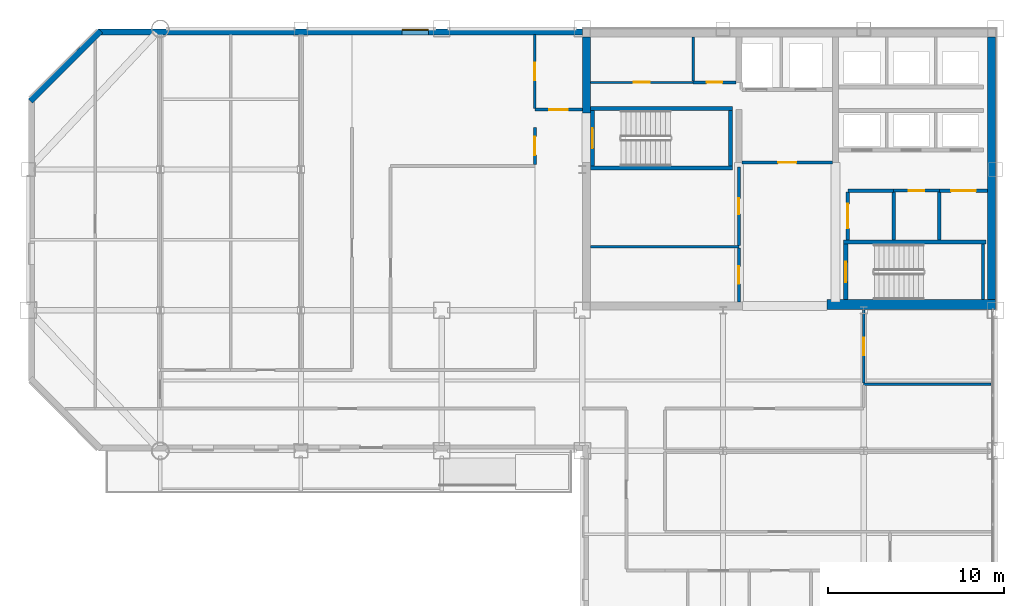
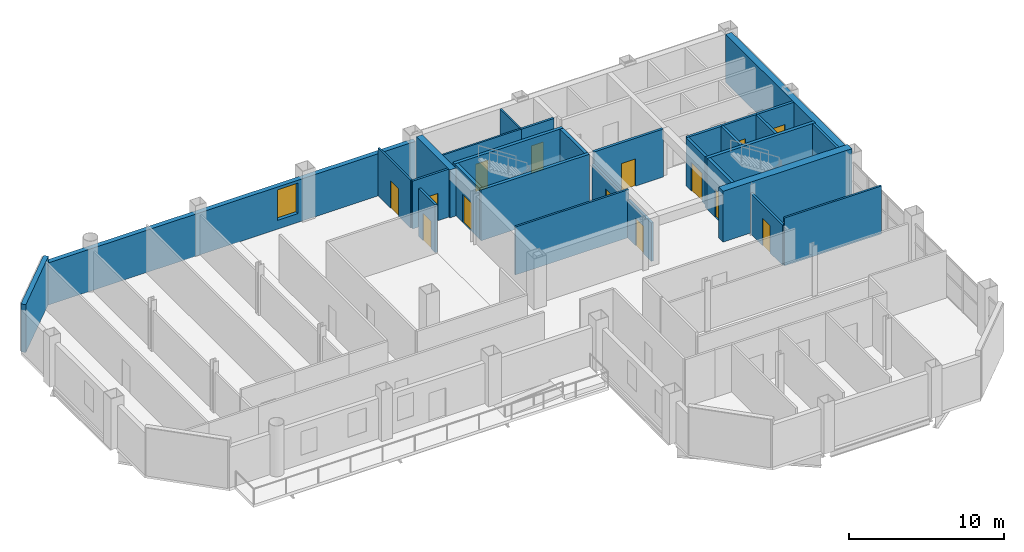
# One storey, part 9 of 14: 30 walls, 14 doors, 1 window, 15 openings.
"""IFC4 building model written with IfcOpenShell, lengths in metres."""

from ifc_helpers import new_model, si_unit, direction, frame, frame_2d, origin, place, context, subcontext, project, spatial, rectangle, extrude, material, layer, layer_set, type_object, element, fill, save


model = new_model("IFC4")

# Units and contexts
model_context = context("Model", 3, precision=1e-05, world=origin(), true_north=direction((0.0, 1.0)))
body_context = subcontext(model_context, "Body", "Model", "MODEL_VIEW")
ifc_project = project(units=[si_unit("LENGTHUNIT", "METRE"), si_unit("AREAUNIT", "SQUARE_METRE"), si_unit("VOLUMEUNIT", "CUBIC_METRE"), si_unit("PLANEANGLEUNIT", "RADIAN"), si_unit("MASSUNIT", "GRAM", prefix="KILO")], contexts=[model_context])

# Site, building, storey
site_placement = place(None, origin())
site = spatial("IfcSite", under=ifc_project, at=site_placement, CompositionType="ELEMENT")
building_placement = place(site_placement, origin())
building = spatial("IfcBuilding", under=site, at=building_placement, Name="Qianrong Seaharbour Tower", CompositionType="ELEMENT")
storey_placement = place(building_placement, frame((0.0, 0.0, 209.800048828125)))
storey = spatial("IfcBuildingStorey", under=building, at=storey_placement, Name="L50", CompositionType="ELEMENT", Elevation=209.800048828125)

# Walls
ifc_material_1 = material(Name="Concrete C60/75", Category="concrete")
ifc_layer_1 = layer(ifc_material_1, 0.4599609375)
ifc_layer_set_1 = layer_set([ifc_layer_1], Name="Concrete C60/75")
wall_type_1 = type_object("IfcWallType", Name="WALL-CORE-460", PredefinedType="SHEAR", material=ifc_layer_set_1)
wall_1_placement = place(storey_placement, frame((63.77001953125, 36.320068359375, 0.0), z_axis=(0.0, 0.0, 1.0), x_axis=(0.0, 1.0, 0.0)))
element("IfcWall", 1, at=wall_1_placement, inside=storey, type_object=wall_type_1, Name="L50 East Core Shear Wall", PredefinedType="SHEAR", context=body_context, shape_type="SweptSolid", body=[
    extrude(rectangle(XDim=15.219970703125, YDim=0.4599609375, at=frame_2d((7.60986328125, 0.0))), origin(), (0.0, 0.0, 1.0), 3.77490234375),
])
wall_2_placement = place(storey_placement, frame((40.72998046875, 47.199951171875, 0.0), z_axis=(0.0, 0.0, 1.0), x_axis=(0.0, 1.0, 0.0)))
element("IfcWall", 2, at=wall_2_placement, inside=storey, type_object=wall_type_1, Name="L50 West Core Shear Wall North", PredefinedType="SHEAR", context=body_context, shape_type="SweptSolid", body=[
    extrude(rectangle(XDim=4.340087890625, YDim=0.4599609375, at=frame_2d((2.169921875, 0.0))), origin(), (0.0, 0.0, 1.0), 3.77490234375),
])
ifc_material_2 = material(Name="Concrete C70/85", Category="concrete")
ifc_layer_2 = layer(ifc_material_2, 0.580078125)
ifc_layer_set_2 = layer_set([ifc_layer_2], Name="Concrete C70/85")
wall_type_2 = type_object("IfcWallType", Name="WALL-CORE-580", PredefinedType="SHEAR", material=ifc_layer_set_2)
wall_3_placement = place(storey_placement, frame((54.39990234375, 36.320068359375, 0.0), z_axis=(0.0, 0.0, 1.0), x_axis=(1.0, 0.0, 0.0)))
element("IfcWall", 3, at=wall_3_placement, inside=storey, type_object=wall_type_2, Name="L50 South Core Shear Wall S3", PredefinedType="SHEAR", context=body_context, shape_type="SweptSolid", body=[
    extrude(rectangle(XDim=9.60009765625, YDim=0.580078125, at=frame_2d((4.800048828125, 0.0))), origin(), (0.0, 0.0, 1.0), 4.0),
])

# Wall, opening, door
ifc_material_3 = material(Name="Fire-rated acoustic gypsum board partition")
ifc_layer_3 = layer(ifc_material_3, 0.1650390625)
ifc_layer_set_3 = layer_set([ifc_layer_3], Name="Fire-rated acoustic gypsum board partition")
wall_type_3 = type_object("IfcWallType", Name="WALL-CORR-PART-165", PredefinedType="PARTITIONING", material=ifc_layer_set_3)
wall_4_placement = place(storey_placement, frame((37.800048828125, 47.39990234375, 0.0), z_axis=(0.0, 0.0, 1.0), x_axis=(1.0, 0.0, 0.0)))
wall_4 = element("IfcWall", 4, at=wall_4_placement, inside=storey, type_object=wall_type_3, Name="L50 Interior Partition Wall 001", PredefinedType="PARTITIONING", context=body_context, shape_type="SweptSolid", body=[
    extrude(rectangle(XDim=2.699951171875, YDim=0.1650390625, at=frame_2d((1.35009765625, 0.0))), origin(), (0.0, 0.0, 1.0), 3.77490234375),
])
opening_1_placement = place(wall_4_placement, frame((0.824951171875, 0.0, 0.0)))
opening_1 = element("IfcOpeningElement", 5, at=opening_1_placement, cuts=wall_4, Name="Opening DC-01", PredefinedType="OPENING", context=body_context, shape_type="SweptSolid", body=[
    extrude(rectangle(XDim=1.050048828125, YDim=2.14990234375, at=frame_2d((0.52490234375, 1.074951171875))), frame((0.0, 0.092529296875, 0.0), z_axis=(0.0, -1.0, 0.0), x_axis=(1.0, 0.0, 0.0)), (0.0, 0.0, 1.0), 0.18505859375),
])
ifc_material_4 = material(Name="Acoustic timber and galvanized steel fire door assembly", Category="steel")
door_type_1 = type_object("IfcDoorType", Name="DOOR-CORR-FD60-1050x2150", OperationType="NOTDEFINED", PredefinedType="DOOR", material=ifc_material_4)
door_1_placement = place(opening_1_placement, origin())
door_1 = element("IfcDoor", 6, at=door_1_placement, inside=storey, type_object=door_type_1, Name="L50 Smokeproof Stair Vestibule ST-1 Door", OperationType="SINGLE_SWING_LEFT", OverallHeight=2.14990234375, OverallWidth=1.050048828125, PredefinedType="DOOR", context=body_context, shape_type="SweptSolid", body=[
    extrude(rectangle(XDim=1.050048828125, YDim=2.14990234375, at=frame_2d((0.52490234375, 1.074951171875))), frame((0.0, 0.02490234375, 0.0), z_axis=(0.0, -1.0, 0.0), x_axis=(1.0, 0.0, 0.0)), (0.0, 0.0, 1.0), 0.050048828125),
])
fill(opening_1, door_1)

wall_5_placement = place(storey_placement, frame((37.800048828125, 44.2744140625, 0.0), z_axis=(0.0, 0.0, 1.0), x_axis=(0.0, 1.0, 0.0)))
wall_5 = element("IfcWall", 7, at=wall_5_placement, inside=storey, type_object=wall_type_3, Name="L50 Interior Partition Wall 002", PredefinedType="PARTITIONING", context=body_context, shape_type="SweptSolid", body=[
    extrude(rectangle(XDim=2.12548828125, YDim=0.1650390625, at=frame_2d((1.062744140625, 0.0))), origin(), (0.0, 0.0, 1.0), 3.77490234375),
])
opening_2_placement = place(wall_5_placement, frame((0.537841796875, 0.0, 0.0)))
opening_2 = element("IfcOpeningElement", 8, at=opening_2_placement, cuts=wall_5, Name="Opening DC-01", PredefinedType="OPENING", context=body_context, shape_type="SweptSolid", body=[
    extrude(rectangle(XDim=1.050048828125, YDim=2.14990234375, at=frame_2d((0.52490234375, 1.074951171875))), frame((0.0, 0.092529296875, 0.0), z_axis=(0.0, -1.0, 0.0), x_axis=(1.0, 0.0, 0.0)), (0.0, 0.0, 1.0), 0.18505859375),
])
door_2_placement = place(opening_2_placement, origin())
door_2 = element("IfcDoor", 9, at=door_2_placement, inside=storey, type_object=door_type_1, Name="L50 Smokeproof Stair Vestibule ST-1 Door", OperationType="SINGLE_SWING_RIGHT", OverallHeight=2.14990234375, OverallWidth=1.050048828125, PredefinedType="DOOR", context=body_context, shape_type="SweptSolid", body=[
    extrude(rectangle(XDim=1.050048828125, YDim=2.14990234375, at=frame_2d((0.52490234375, 1.074951171875))), frame((0.0, 0.02490234375, 0.0), z_axis=(0.0, -1.0, 0.0), x_axis=(1.0, 0.0, 0.0)), (0.0, 0.0, 1.0), 0.050048828125),
])
fill(opening_2, door_2)

wall_6_placement = place(storey_placement, frame((46.800048828125, 48.949951171875, 0.0), z_axis=(0.0, 0.0, 1.0), x_axis=(1.0, 0.0, 0.0)))
wall_6 = element("IfcWall", 10, at=wall_6_placement, inside=storey, type_object=wall_type_3, Name="L50 Interior Partition Wall 005", PredefinedType="PARTITIONING", context=body_context, shape_type="SweptSolid", body=[
    extrude(rectangle(XDim=2.432861328125, YDim=0.1650390625, at=frame_2d((1.21630859375, 0.0))), origin(), (0.0, 0.0, 1.0), 3.77490234375),
])
opening_3_placement = place(wall_6_placement, frame((0.7666015625, 0.0, 0.0)))
opening_3 = element("IfcOpeningElement", 11, at=opening_3_placement, cuts=wall_6, Name="Opening DS-01", PredefinedType="OPENING", context=body_context, shape_type="SweptSolid", body=[
    extrude(rectangle(XDim=0.89990234375, YDim=2.14990234375, at=frame_2d((0.449951171875, 1.074951171875))), frame((0.0, 0.092529296875, 0.0), z_axis=(0.0, -1.0, 0.0), x_axis=(1.0, 0.0, 0.0)), (0.0, 0.0, 1.0), 0.18505859375),
])
door_type_2 = type_object("IfcDoorType", Name="DOOR-STORE-900x2150", OperationType="NOTDEFINED", PredefinedType="DOOR", material=ifc_material_4)
door_3_placement = place(opening_3_placement, origin())
door_3 = element("IfcDoor", 12, at=door_3_placement, inside=storey, type_object=door_type_2, Name="L50 Janitor Store Room Door", OperationType="SINGLE_SWING_RIGHT", OverallHeight=2.14990234375, OverallWidth=0.89990234375, PredefinedType="DOOR", context=body_context, shape_type="SweptSolid", body=[
    extrude(rectangle(XDim=0.89990234375, YDim=2.14990234375, at=frame_2d((0.449951171875, 1.074951171875))), frame((0.0, 0.02490234375, 0.0), z_axis=(0.0, -1.0, 0.0), x_axis=(1.0, 0.0, 0.0)), (0.0, 0.0, 1.0), 0.050048828125),
])
fill(opening_3, door_3)

wall_7_placement = place(storey_placement, frame((49.39990234375, 36.4599609375, 0.0), z_axis=(0.0, 0.0, 1.0), x_axis=(0.0, 1.0, 0.0)))
wall_7 = element("IfcWall", 13, at=wall_7_placement, inside=storey, type_object=wall_type_3, Name="L50 Interior Partition Wall 007", PredefinedType="PARTITIONING", context=body_context, shape_type="SweptSolid", body=[
    extrude(rectangle(XDim=3.075439453125, YDim=0.1650390625, at=frame_2d((1.53759765625, 0.0))), origin(), (0.0, 0.0, 1.0), 3.016845703125),
])
opening_4_placement = place(wall_7_placement, frame((1.03759765625, 0.0, 0.0)))
opening_4 = element("IfcOpeningElement", 14, at=opening_4_placement, cuts=wall_7, Name="Opening DO-01", PredefinedType="OPENING", context=body_context, shape_type="SweptSolid", body=[
    extrude(rectangle(XDim=1.0, YDim=2.14990234375, at=frame_2d((0.5, 1.074951171875))), frame((0.0, 0.092529296875, 0.0), z_axis=(0.0, -1.0, 0.0), x_axis=(1.0, 0.0, 0.0)), (0.0, 0.0, 1.0), 0.18505859375),
])
door_type_3 = type_object("IfcDoorType", Name="DOOR-OFFICE-1000x2150", OperationType="NOTDEFINED", PredefinedType="DOOR", material=ifc_material_4)
door_4_placement = place(opening_4_placement, origin())
door_4 = element("IfcDoor", 15, at=door_4_placement, inside=storey, type_object=door_type_3, Name="L50 Wellness Room Door", OperationType="SINGLE_SWING_LEFT", OverallHeight=2.14990234375, OverallWidth=1.0, PredefinedType="DOOR", context=body_context, shape_type="SweptSolid", body=[
    extrude(rectangle(XDim=1.0, YDim=2.14990234375, at=frame_2d((0.5, 1.074951171875))), frame((0.0, 0.02490234375, 0.0), z_axis=(0.0, -1.0, 0.0), x_axis=(1.0, 0.0, 0.0)), (0.0, 0.0, 1.0), 0.050048828125),
])
fill(opening_4, door_4)

wall_8_placement = place(storey_placement, frame((49.39990234375, 39.66455078125, 0.0), z_axis=(0.0, 0.0, 1.0), x_axis=(0.0, 1.0, 0.0)))
wall_8 = element("IfcWall", 16, at=wall_8_placement, inside=storey, type_object=wall_type_3, Name="L50 Interior Partition Wall 008", PredefinedType="PARTITIONING", context=body_context, shape_type="SweptSolid", body=[
    extrude(rectangle(XDim=4.4853515625, YDim=0.1650390625, at=frame_2d((2.24267578125, 0.0))), origin(), (0.0, 0.0, 1.0), 3.016845703125),
])
opening_5_placement = place(wall_8_placement, frame((1.792724609375, 0.0, 0.0)))
opening_5 = element("IfcOpeningElement", 17, at=opening_5_placement, cuts=wall_8, Name="Opening DS-01", PredefinedType="OPENING", context=body_context, shape_type="SweptSolid", body=[
    extrude(rectangle(XDim=0.89990234375, YDim=2.14990234375, at=frame_2d((0.449951171875, 1.074951171875))), frame((0.0, 0.092529296875, 0.0), z_axis=(0.0, -1.0, 0.0), x_axis=(1.0, 0.0, 0.0)), (0.0, 0.0, 1.0), 0.18505859375),
])
door_5_placement = place(opening_5_placement, origin())
door_5 = element("IfcDoor", 18, at=door_5_placement, inside=storey, type_object=door_type_2, Name="L50 Equipment Store Room Door", OperationType="SINGLE_SWING_RIGHT", OverallHeight=2.14990234375, OverallWidth=0.89990234375, PredefinedType="DOOR", context=body_context, shape_type="SweptSolid", body=[
    extrude(rectangle(XDim=0.89990234375, YDim=2.14990234375, at=frame_2d((0.449951171875, 1.074951171875))), frame((0.0, 0.02490234375, 0.0), z_axis=(0.0, -1.0, 0.0), x_axis=(1.0, 0.0, 0.0)), (0.0, 0.0, 1.0), 0.050048828125),
])
fill(opening_5, door_5)

wall_9_placement = place(storey_placement, frame((60.800048828125, 42.800048828125, 0.0), z_axis=(0.0, 0.0, 1.0), x_axis=(-1.0, 0.0, 0.0)))
wall_9 = element("IfcWall", 19, at=wall_9_placement, inside=storey, type_object=wall_type_3, Name="L50 Interior Partition Wall 012", PredefinedType="PARTITIONING", context=body_context, shape_type="SweptSolid", body=[
    extrude(rectangle(XDim=2.60009765625, YDim=0.1650390625, at=frame_2d((1.300048828125, 0.0))), origin(), (0.0, 0.0, 1.0), 3.77490234375),
])
opening_6_placement = place(wall_9_placement, frame((0.85009765625, 0.0, 0.0)))
opening_6 = element("IfcOpeningElement", 20, at=opening_6_placement, cuts=wall_9, Name="Opening DS-01", PredefinedType="OPENING", context=body_context, shape_type="SweptSolid", body=[
    extrude(rectangle(XDim=0.89990234375, YDim=2.14990234375, at=frame_2d((0.449951171875, 1.074951171875))), frame((0.0, 0.092529296875, 0.0), z_axis=(0.0, -1.0, 0.0), x_axis=(1.0, 0.0, 0.0)), (0.0, 0.0, 1.0), 0.18505859375),
])
door_6_placement = place(opening_6_placement, origin())
door_6 = element("IfcDoor", 21, at=door_6_placement, inside=storey, type_object=door_type_2, Name="L50 Supply Store Room Door", OperationType="SINGLE_SWING_LEFT", OverallHeight=2.14990234375, OverallWidth=0.89990234375, PredefinedType="DOOR", context=body_context, shape_type="SweptSolid", body=[
    extrude(rectangle(XDim=0.89990234375, YDim=2.14990234375, at=frame_2d((0.449951171875, 1.074951171875))), frame((0.0, 0.02490234375, 0.0), z_axis=(0.0, -1.0, 0.0), x_axis=(1.0, 0.0, 0.0)), (0.0, 0.0, 1.0), 0.050048828125),
])
fill(opening_6, door_6)

wall_10_placement = place(storey_placement, frame((56.5, 36.0, 0.0), z_axis=(0.0, 0.0, 1.0), x_axis=(0.0, -1.0, 0.0)))
wall_10 = element("IfcWall", 22, at=wall_10_placement, inside=storey, type_object=wall_type_3, Name="L50 Interior Partition Wall 029", PredefinedType="PARTITIONING", context=body_context, shape_type="SweptSolid", body=[
    extrude(rectangle(XDim=4.135498046875, YDim=0.1650390625, at=frame_2d((2.06787109375, 0.0))), origin(), (0.0, 0.0, 1.0), 3.178955078125),
])
opening_7_placement = place(wall_10_placement, frame((1.56787109375, 0.0, 0.0)))
opening_7 = element("IfcOpeningElement", 23, at=opening_7_placement, cuts=wall_10, Name="Opening DO-01", PredefinedType="OPENING", context=body_context, shape_type="SweptSolid", body=[
    extrude(rectangle(XDim=1.0, YDim=2.14990234375, at=frame_2d((0.5, 1.074951171875))), frame((0.0, 0.092529296875, 0.0), z_axis=(0.0, -1.0, 0.0), x_axis=(1.0, 0.0, 0.0)), (0.0, 0.0, 1.0), 0.18505859375),
])
door_7_placement = place(opening_7_placement, origin())
door_7 = element("IfcDoor", 24, at=door_7_placement, inside=storey, type_object=door_type_3, Name="L50 Focus Room 3 Door", OperationType="SINGLE_SWING_RIGHT", OverallHeight=2.14990234375, OverallWidth=1.0, PredefinedType="DOOR", context=body_context, shape_type="SweptSolid", body=[
    extrude(rectangle(XDim=1.0, YDim=2.14990234375, at=frame_2d((0.5, 1.074951171875))), frame((0.0, 0.02490234375, 0.0), z_axis=(0.0, -1.0, 0.0), x_axis=(1.0, 0.0, 0.0)), (0.0, 0.0, 1.0), 0.050048828125),
])
fill(opening_7, door_7)

# Wall
ifc_material_5 = material(Name="Unitised buff brick on Precast concrete C45/55", Category="masonry")
ifc_layer_4 = layer(ifc_material_5, 0.340087890625)
ifc_layer_set_4 = layer_set([ifc_layer_4], Name="Unitised buff brick on Precast concrete C45/55")
wall_type_4 = type_object("IfcWallType", Name="WALL-EXT-BRICK-BUFF-340", PredefinedType="SOLIDWALL", material=ifc_layer_set_4)
wall_11_placement = place(storey_placement, frame((9.1201171875, 47.8798828125, 0.0), z_axis=(0.0, 0.0, 1.0), x_axis=(0.707106781187, 0.707106781187, 0.0)))
element("IfcWall", 25, at=wall_11_placement, inside=storey, type_object=wall_type_4, Name="L50 Exterior Masonry Facade Wall E04", PredefinedType="SOLIDWALL", context=body_context, shape_type="SweptSolid", body=[
    extrude(rectangle(XDim=5.65673828125, YDim=0.340087890625, at=frame_2d((2.828369140625, 0.0))), origin(), (0.0, 0.0, 1.0), 3.77490234375),
])

# Wall, opening, window
wall_12_placement = place(storey_placement, frame((13.0, 51.830078125, 0.0), z_axis=(0.0, 0.0, 1.0), x_axis=(1.0, 0.0, 0.0)))
wall_12 = element("IfcWall", 26, at=wall_12_placement, inside=storey, type_object=wall_type_4, Name="L50 Exterior Masonry Facade Wall NORTH_WING", PredefinedType="SOLIDWALL", context=body_context, shape_type="SweptSolid", body=[
    extrude(rectangle(XDim=27.52001953125, YDim=0.340087890625, at=frame_2d((13.760009765625, 0.0))), origin(), (0.0, 0.0, 1.0), 3.324951171875),
])
opening_8_placement = place(wall_12_placement, frame((17.25, 0.0, 0.699951171875)))
opening_8 = element("IfcOpeningElement", 27, at=opening_8_placement, cuts=wall_12, Name="Opening WN-08", PredefinedType="OPENING", context=body_context, shape_type="SweptSolid", body=[
    extrude(rectangle(XDim=1.5, YDim=2.39990234375, at=frame_2d((0.75, 1.199951171875))), frame((0.0, 0.18017578125, 0.0), z_axis=(0.0, -1.0, 0.0), x_axis=(1.0, 0.0, 0.0)), (0.0, 0.0, 1.0), 0.360107421875),
])
ifc_material_6 = material(Name="Insulated low-e double glazing in thermally broken aluminium 6063-T6 frame", Category="aluminium")
window_type = type_object("IfcWindowType", Name="WIN-PUNCH-1500x2400", PartitioningType="DOUBLE_PANEL_HORIZONTAL", PredefinedType="WINDOW", material=ifc_material_6)
window_placement = place(opening_8_placement, origin())
window = element("IfcWindow", 28, at=window_placement, inside=storey, type_object=window_type, Name="L50 Deep-Set Punched Window 05.05", OverallHeight=2.39990234375, OverallWidth=1.5, PartitioningType="DOUBLE_PANEL_HORIZONTAL", PredefinedType="WINDOW", context=body_context, shape_type="SweptSolid", body=[
    extrude(rectangle(XDim=1.5, YDim=2.39990234375, at=frame_2d((0.75, 1.199951171875))), frame((0.0, 0.150146484375, 0.0), z_axis=(0.0, -1.0, 0.0), x_axis=(1.0, 0.0, 0.0)), (0.0, 0.0, 1.0), 0.06005859375),
])
fill(opening_8, window)

# Wall, opening, door
ifc_material_7 = material(Name="Double fire-rated gypsum board acoustic partition")
ifc_layer_5 = layer(ifc_material_7, 0.18994140625)
ifc_layer_set_5 = layer_set([ifc_layer_5], Name="Double fire-rated gypsum board acoustic partition")
wall_type_5 = type_object("IfcWallType", Name="WALL-FIRE-PART-190", PredefinedType="PARTITIONING", material=ifc_layer_set_5)
wall_13_placement = place(storey_placement, frame((54.73291015625, 44.39990234375, 0.0), z_axis=(0.0, 0.0, 1.0), x_axis=(-1.0, 0.0, 0.0)))
wall_13 = element("IfcWall", 29, at=wall_13_placement, inside=storey, type_object=wall_type_5, Name="L50 Interior Partition Wall 006", PredefinedType="PARTITIONING", context=body_context, shape_type="SweptSolid", body=[
    extrude(rectangle(XDim=5.166015625, YDim=0.18994140625, at=frame_2d((2.5830078125, 0.0))), origin(), (0.0, 0.0, 1.0), 3.77490234375),
])
opening_9_placement = place(wall_13_placement, frame((2.05810546875, 0.0, 0.0)))
opening_9 = element("IfcOpeningElement", 30, at=opening_9_placement, cuts=wall_13, Name="Opening DC-01", PredefinedType="OPENING", context=body_context, shape_type="SweptSolid", body=[
    extrude(rectangle(XDim=1.050048828125, YDim=2.14990234375, at=frame_2d((0.52490234375, 1.074951171875))), frame((0.0, 0.10498046875, 0.0), z_axis=(0.0, -1.0, 0.0), x_axis=(1.0, 0.0, 0.0)), (0.0, 0.0, 1.0), 0.2099609375),
])
door_8_placement = place(opening_9_placement, origin())
door_8 = element("IfcDoor", 31, at=door_8_placement, inside=storey, type_object=door_type_1, Name="L50 Firefighting Lift Lobby Door", OperationType="SINGLE_SWING_RIGHT", OverallHeight=2.14990234375, OverallWidth=1.050048828125, PredefinedType="DOOR", context=body_context, shape_type="SweptSolid", body=[
    extrude(rectangle(XDim=1.050048828125, YDim=2.14990234375, at=frame_2d((0.52490234375, 1.074951171875))), frame((0.0, 0.02490234375, 0.0), z_axis=(0.0, -1.0, 0.0), x_axis=(1.0, 0.0, 0.0)), (0.0, 0.0, 1.0), 0.050048828125),
])
fill(opening_9, door_8)

wall_14_placement = place(storey_placement, frame((55.60009765625, 42.712890625, 0.0), z_axis=(0.0, 0.0, 1.0), x_axis=(0.0, -1.0, 0.0)))
wall_14 = element("IfcWall", 32, at=wall_14_placement, inside=storey, type_object=wall_type_5, Name="L50 Interior Partition Wall 009", PredefinedType="PARTITIONING", context=body_context, shape_type="SweptSolid", body=[
    extrude(rectangle(XDim=2.73095703125, YDim=0.18994140625, at=frame_2d((1.365478515625, 0.0))), origin(), (0.0, 0.0, 1.0), 3.77490234375),
])
opening_10_placement = place(wall_14_placement, frame((0.66552734375, 0.0, 0.0)))
opening_10 = element("IfcOpeningElement", 33, at=opening_10_placement, cuts=wall_14, Name="Opening DP-01", PredefinedType="OPENING", context=body_context, shape_type="SweptSolid", body=[
    extrude(rectangle(XDim=1.39990234375, YDim=2.25, at=frame_2d((0.699951171875, 1.125))), frame((0.0, 0.10498046875, 0.0), z_axis=(0.0, -1.0, 0.0), x_axis=(1.0, 0.0, 0.0)), (0.0, 0.0, 1.0), 0.2099609375),
])
door_type_4 = type_object("IfcDoorType", Name="DOOR-PLANT-PAIR-1400x2250", OperationType="DOUBLE_DOOR_SINGLE_SWING", PredefinedType="DOOR", material=ifc_material_4)
door_9_placement = place(opening_10_placement, origin())
door_9 = element("IfcDoor", 34, at=door_9_placement, inside=storey, type_object=door_type_4, Name="L50 Core Telecom Room Door", OperationType="DOUBLE_DOOR_SINGLE_SWING", OverallHeight=2.25, OverallWidth=1.39990234375, PredefinedType="DOOR", context=body_context, shape_type="SweptSolid", body=[
    extrude(rectangle(XDim=1.39990234375, YDim=2.25, at=frame_2d((0.699951171875, 1.125))), frame((0.0, 0.02490234375, 0.0), z_axis=(0.0, -1.0, 0.0), x_axis=(1.0, 0.0, 0.0)), (0.0, 0.0, 1.0), 0.050048828125),
])
fill(opening_10, door_9)

# Wall
wall_15_placement = place(storey_placement, frame((58.199951171875, 42.800048828125, 0.0), z_axis=(0.0, 0.0, 1.0), x_axis=(-1.0, 0.0, 0.0)))
element("IfcWall", 35, at=wall_15_placement, inside=storey, type_object=wall_type_5, Name="L50 Interior Partition Wall 011", PredefinedType="PARTITIONING", context=body_context, shape_type="SweptSolid", body=[
    extrude(rectangle(XDim=2.599853515625, YDim=0.18994140625, at=frame_2d((1.2998046875, 0.0))), origin(), (0.0, 0.0, 1.0), 3.77490234375),
])

# Wall, opening, door
wall_16_placement = place(storey_placement, frame((63.5400390625, 42.800048828125, 0.0), z_axis=(0.0, 0.0, 1.0), x_axis=(-1.0, 0.0, 0.0)))
wall_16 = element("IfcWall", 36, at=wall_16_placement, inside=storey, type_object=wall_type_5, Name="L50 Interior Partition Wall 013", PredefinedType="PARTITIONING", context=body_context, shape_type="SweptSolid", body=[
    extrude(rectangle(XDim=2.739990234375, YDim=0.18994140625, at=frame_2d((1.3701171875, 0.0))), origin(), (0.0, 0.0, 1.0), 3.77490234375),
])
opening_11_placement = place(wall_16_placement, frame((0.669921875, 0.0, 0.0)))
opening_11 = element("IfcOpeningElement", 37, at=opening_11_placement, cuts=wall_16, Name="Opening DP-01", PredefinedType="OPENING", context=body_context, shape_type="SweptSolid", body=[
    extrude(rectangle(XDim=1.39990234375, YDim=2.25, at=frame_2d((0.699951171875, 1.125))), frame((0.0, 0.10498046875, 0.0), z_axis=(0.0, -1.0, 0.0), x_axis=(1.0, 0.0, 0.0)), (0.0, 0.0, 1.0), 0.2099609375),
])
door_10_placement = place(opening_11_placement, origin())
door_10 = element("IfcDoor", 38, at=door_10_placement, inside=storey, type_object=door_type_4, Name="L50 Building Metering Room Door", OperationType="DOUBLE_DOOR_SINGLE_SWING", OverallHeight=2.25, OverallWidth=1.39990234375, PredefinedType="DOOR", context=body_context, shape_type="SweptSolid", body=[
    extrude(rectangle(XDim=1.39990234375, YDim=2.25, at=frame_2d((0.699951171875, 1.125))), frame((0.0, 0.02490234375, 0.0), z_axis=(0.0, -1.0, 0.0), x_axis=(1.0, 0.0, 0.0)), (0.0, 0.0, 1.0), 0.050048828125),
])
fill(opening_11, door_10)

# Walls
for number, where, z_axis, x_axis, name in (
    (39, (58.199951171875, 42.712890625, 0.0), (0.0, 0.0, 1.0), (0.0, -1.0, 0.0), "L50 Interior Partition Wall 015"),
    (40, (60.800048828125, 42.712890625, 0.0), (0.0, 0.0, 1.0), (0.0, -1.0, 0.0), "L50 Interior Partition Wall 016"),
):
    element("IfcWall", number, at=place(storey_placement, frame(where, z_axis=z_axis, x_axis=x_axis)), inside=storey, type_object=wall_type_5, Name=name, PredefinedType="PARTITIONING", context=body_context, shape_type="SweptSolid", body=[
        extrude(rectangle(XDim=2.73095703125, YDim=0.18994140625, at=frame_2d((1.365478515625, 0.0))), origin(), (0.0, 0.0, 1.0), 3.77490234375),
    ])
ifc_material_8 = material(Name="Acoustic gypsum board stud partition")
ifc_layer_6 = layer(ifc_material_8, 0.14501953125)
ifc_layer_set_6 = layer_set([ifc_layer_6], Name="Acoustic gypsum board stud partition")
wall_type_6 = type_object("IfcWallType", Name="WALL-OFFICE-PART-145", PredefinedType="PARTITIONING", material=ifc_layer_set_6)
wall_17_placement = place(storey_placement, frame((40.9599609375, 39.60009765625, 0.0), z_axis=(0.0, 0.0, 1.0), x_axis=(1.0, 0.0, 0.0)))
element("IfcWall", 41, at=wall_17_placement, inside=storey, type_object=wall_type_6, Name="L50 Interior Partition Wall 010", PredefinedType="PARTITIONING", context=body_context, shape_type="SweptSolid", body=[
    extrude(rectangle(XDim=8.43994140625, YDim=0.14501953125, at=frame_2d((4.219970703125, 0.0))), origin(), (0.0, 0.0, 1.0), 3.77490234375),
])
wall_18_placement = place(storey_placement, frame((56.5, 31.800048828125, 0.0), z_axis=(0.0, 0.0, 1.0), x_axis=(1.0, 0.0, 0.0)))
element("IfcWall", 42, at=wall_18_placement, inside=storey, type_object=wall_type_6, Name="L50 Interior Partition Wall 050", PredefinedType="PARTITIONING", context=body_context, shape_type="SweptSolid", body=[
    extrude(rectangle(XDim=7.22802734375, YDim=0.14501953125, at=frame_2d((3.614013671875, 0.0))), origin(), (0.0, 0.0, 1.0), 3.77490234375),
])
ifc_material_9 = material(Name="Concrete C50/60", Category="concrete")
ifc_layer_7 = layer(ifc_material_9, 0.239990234375)
ifc_layer_set_7 = layer_set([ifc_layer_7], Name="Concrete C50/60")
wall_type_7 = type_object("IfcWallType", Name="WALL-SHAFT-RC240", PredefinedType="SOLIDWALL", material=ifc_layer_set_7)
for number, where, z_axis, x_axis, name in (
    (43, (40.9599609375, 47.469970703125, 0.0), (0.0, 0.0, 1.0), (1.0, 0.0, 0.0), "L50 ST-1 Structural Stair Core Wall N"),
    (44, (49.0400390625, 44.080078125, 0.0), (0.0, 0.0, 1.0), (-1.0, 0.0, 0.0), "L50 ST-1 Structural Stair Core Wall S"),
):
    element("IfcWall", number, at=place(storey_placement, frame(where, z_axis=z_axis, x_axis=x_axis)), inside=storey, type_object=wall_type_7, Name=name, PredefinedType="SOLIDWALL", context=body_context, shape_type="SweptSolid", body=[
        extrude(rectangle(XDim=8.080078125, YDim=0.239990234375, at=frame_2d((4.0400390625, 0.0))), origin(), (0.0, 0.0, 1.0), 4.0),
    ])

# Wall, opening, door
wall_19_placement = place(storey_placement, frame((41.080078125, 47.35009765625, 0.0), z_axis=(0.0, 0.0, 1.0), x_axis=(0.0, -1.0, 0.0)))
wall_19 = element("IfcWall", 45, at=wall_19_placement, inside=storey, type_object=wall_type_7, Name="L50 ST-1 Structural Stair Core Wall W", PredefinedType="SOLIDWALL", context=body_context, shape_type="SweptSolid", body=[
    extrude(rectangle(XDim=3.150146484375, YDim=0.239990234375, at=frame_2d((1.5751953125, 0.0))), origin(), (0.0, 0.0, 1.0), 4.0),
])
opening_12_placement = place(wall_19_placement, frame((1.0, 0.0, 0.0)))
opening_12 = element("IfcOpeningElement", 46, at=opening_12_placement, cuts=wall_19, Name="Opening SD-01", PredefinedType="OPENING", context=body_context, shape_type="SweptSolid", body=[
    extrude(rectangle(XDim=1.14990234375, YDim=2.199951171875, at=frame_2d((0.574951171875, 1.10009765625))), frame((0.0, 0.1298828125, 0.0), z_axis=(0.0, -1.0, 0.0), x_axis=(1.0, 0.0, 0.0)), (0.0, 0.0, 1.0), 0.260009765625),
])
door_type_5 = type_object("IfcDoorType", Name="DOOR-STAIR-FD60-1150x2200", OperationType="NOTDEFINED", PredefinedType="DOOR", material=ifc_material_4)
door_11_placement = place(opening_12_placement, origin())
door_11 = element("IfcDoor", 47, at=door_11_placement, inside=storey, type_object=door_type_5, Name="L50 ST-1 Protected Stair Door", OperationType="SINGLE_SWING_LEFT", OverallHeight=2.199951171875, OverallWidth=1.14990234375, PredefinedType="DOOR", context=body_context, shape_type="SweptSolid", body=[
    extrude(rectangle(XDim=1.14990234375, YDim=2.199951171875, at=frame_2d((0.574951171875, 1.10009765625))), frame((0.0, 0.02490234375, 0.0), z_axis=(0.0, -1.0, 0.0), x_axis=(1.0, 0.0, 0.0)), (0.0, 0.0, 1.0), 0.050048828125),
])
fill(opening_12, door_11)

# Walls
wall_20_placement = place(storey_placement, frame((48.919921875, 44.199951171875, 0.0), z_axis=(0.0, 0.0, 1.0), x_axis=(0.0, 1.0, 0.0)))
element("IfcWall", 48, at=wall_20_placement, inside=storey, type_object=wall_type_7, Name="L50 ST-1 Structural Stair Core Wall E", PredefinedType="SOLIDWALL", context=body_context, shape_type="SweptSolid", body=[
    extrude(rectangle(XDim=3.150146484375, YDim=0.239990234375, at=frame_2d((1.5751953125, 0.0))), origin(), (0.0, 0.0, 1.0), 4.0),
])
wall_21_placement = place(storey_placement, frame((55.360107421875, 39.8701171875, 0.0), z_axis=(0.0, 0.0, 1.0), x_axis=(1.0, 0.0, 0.0)))
element("IfcWall", 49, at=wall_21_placement, inside=storey, type_object=wall_type_7, Name="L50 ST-2 Structural Stair Core Wall N", PredefinedType="SOLIDWALL", context=body_context, shape_type="SweptSolid", body=[
    extrude(rectangle(XDim=8.079833984375, YDim=0.239990234375, at=frame_2d((4.0400390625, 0.0))), origin(), (0.0, 0.0, 1.0), 4.0),
])

# Wall, opening, door
wall_22_placement = place(storey_placement, frame((55.47998046875, 39.75, 0.0), z_axis=(0.0, 0.0, 1.0), x_axis=(0.0, -1.0, 0.0)))
wall_22 = element("IfcWall", 50, at=wall_22_placement, inside=storey, type_object=wall_type_7, Name="L50 ST-2 Structural Stair Core Wall W", PredefinedType="SOLIDWALL", context=body_context, shape_type="SweptSolid", body=[
    extrude(rectangle(XDim=3.14990234375, YDim=0.239990234375, at=frame_2d((1.574951171875, 0.0))), origin(), (0.0, 0.0, 1.0), 4.0),
])
opening_13_placement = place(wall_22_placement, frame((1.0, 0.0, 0.0)))
opening_13 = element("IfcOpeningElement", 51, at=opening_13_placement, cuts=wall_22, Name="Opening SD-01", PredefinedType="OPENING", context=body_context, shape_type="SweptSolid", body=[
    extrude(rectangle(XDim=1.14990234375, YDim=2.199951171875, at=frame_2d((0.574951171875, 1.10009765625))), frame((0.0, 0.1298828125, 0.0), z_axis=(0.0, -1.0, 0.0), x_axis=(1.0, 0.0, 0.0)), (0.0, 0.0, 1.0), 0.260009765625),
])
door_12_placement = place(opening_13_placement, origin())
door_12 = element("IfcDoor", 52, at=door_12_placement, inside=storey, type_object=door_type_5, Name="L50 ST-2 Protected Stair Door", OperationType="SINGLE_SWING_LEFT", OverallHeight=2.199951171875, OverallWidth=1.14990234375, PredefinedType="DOOR", context=body_context, shape_type="SweptSolid", body=[
    extrude(rectangle(XDim=1.14990234375, YDim=2.199951171875, at=frame_2d((0.574951171875, 1.10009765625))), frame((0.0, 0.02490234375, 0.0), z_axis=(0.0, -1.0, 0.0), x_axis=(1.0, 0.0, 0.0)), (0.0, 0.0, 1.0), 0.050048828125),
])
fill(opening_13, door_12)

# Wall
wall_23_placement = place(storey_placement, frame((63.2900390625, 36.60009765625, 0.0), z_axis=(0.0, 0.0, 1.0), x_axis=(0.0, 1.0, 0.0)))
element("IfcWall", 53, at=wall_23_placement, inside=storey, type_object=wall_type_7, Name="L50 ST-2 Structural Stair Core Wall E", PredefinedType="SOLIDWALL", context=body_context, shape_type="SweptSolid", body=[
    extrude(rectangle(XDim=3.14990234375, YDim=0.179931640625, at=frame_2d((1.574951171875, 0.0))), origin(), (0.0, 0.0, 1.0), 4.0),
])

# Wall, opening, door
ifc_material_10 = material(Name="Water-resistant cement board sanitary partition")
ifc_layer_8 = layer(ifc_material_10, 0.1298828125)
ifc_layer_set_8 = layer_set([ifc_layer_8], Name="Water-resistant cement board sanitary partition")
wall_type_8 = type_object("IfcWallType", Name="WALL-WET-PART-130", PredefinedType="PARTITIONING", material=ifc_layer_set_8)
wall_24_placement = place(storey_placement, frame((37.800048828125, 47.474609375, 0.0), z_axis=(0.0, 0.0, 1.0), x_axis=(0.0, 1.0, 0.0)))
wall_24 = element("IfcWall", 54, at=wall_24_placement, inside=storey, type_object=wall_type_8, Name="L50 Interior Partition Wall 003", PredefinedType="PARTITIONING", context=body_context, shape_type="SweptSolid", body=[
    extrude(rectangle(XDim=4.193359375, YDim=0.1298828125, at=frame_2d((2.0966796875, 0.0))), origin(), (0.0, 0.0, 1.0), 3.77490234375),
])
opening_14_placement = place(wall_24_placement, frame((1.5869140625, 0.0, 0.0)))
opening_14 = element("IfcOpeningElement", 55, at=opening_14_placement, cuts=wall_24, Name="Opening DAW-01", PredefinedType="OPENING", context=body_context, shape_type="SweptSolid", body=[
    extrude(rectangle(XDim=1.02001953125, YDim=2.14990234375, at=frame_2d((0.510009765625, 1.074951171875))), frame((0.0, 0.074951171875, 0.0), z_axis=(0.0, -1.0, 0.0), x_axis=(1.0, 0.0, 0.0)), (0.0, 0.0, 1.0), 0.14990234375),
])
door_type_6 = type_object("IfcDoorType", Name="DOOR-AWC-SLIDE-1020x2150", OperationType="SLIDING_TO_LEFT", PredefinedType="DOOR", material=ifc_material_4)
door_13_placement = place(opening_14_placement, origin())
door_13 = element("IfcDoor", 56, at=door_13_placement, inside=storey, type_object=door_type_6, Name="L50 Accessible Restroom WC Door", OperationType="SLIDING_TO_LEFT", OverallHeight=2.14990234375, OverallWidth=1.02001953125, PredefinedType="DOOR", context=body_context, shape_type="SweptSolid", body=[
    extrude(rectangle(XDim=1.02001953125, YDim=2.14990234375, at=frame_2d((0.510009765625, 1.074951171875))), frame((0.0, 0.02490234375, 0.0), z_axis=(0.0, -1.0, 0.0), x_axis=(1.0, 0.0, 0.0)), (0.0, 0.0, 1.0), 0.050048828125),
])
fill(opening_14, door_13)

wall_25_placement = place(storey_placement, frame((40.9599609375, 48.949951171875, 0.0), z_axis=(0.0, 0.0, 1.0), x_axis=(1.0, 0.0, 0.0)))
wall_25 = element("IfcWall", 57, at=wall_25_placement, inside=storey, type_object=wall_type_8, Name="L50 Interior Partition Wall 004", PredefinedType="PARTITIONING", context=body_context, shape_type="SweptSolid", body=[
    extrude(rectangle(XDim=5.840087890625, YDim=0.1298828125, at=frame_2d((2.919921875, 0.0))), origin(), (0.0, 0.0, 1.0), 3.77490234375),
])
opening_15_placement = place(wall_25_placement, frame((2.4599609375, 0.0, 0.0)))
opening_15 = element("IfcOpeningElement", 58, at=opening_15_placement, cuts=wall_25, Name="Opening DW-01", PredefinedType="OPENING", context=body_context, shape_type="SweptSolid", body=[
    extrude(rectangle(XDim=0.919921875, YDim=2.14990234375, at=frame_2d((0.4599609375, 1.074951171875))), frame((0.0, 0.074951171875, 0.0), z_axis=(0.0, -1.0, 0.0), x_axis=(1.0, 0.0, 0.0)), (0.0, 0.0, 1.0), 0.14990234375),
])
door_type_7 = type_object("IfcDoorType", Name="DOOR-WC-920x2150", OperationType="NOTDEFINED", PredefinedType="DOOR", material=ifc_material_4)
door_14_placement = place(opening_15_placement, origin())
door_14 = element("IfcDoor", 59, at=door_14_placement, inside=storey, type_object=door_type_7, Name="L50 Restroom WC Suite Door", OperationType="SINGLE_SWING_LEFT", OverallHeight=2.14990234375, OverallWidth=0.919921875, PredefinedType="DOOR", context=body_context, shape_type="SweptSolid", body=[
    extrude(rectangle(XDim=0.919921875, YDim=2.14990234375, at=frame_2d((0.4599609375, 1.074951171875))), frame((0.0, 0.02490234375, 0.0), z_axis=(0.0, -1.0, 0.0), x_axis=(1.0, 0.0, 0.0)), (0.0, 0.0, 1.0), 0.050048828125),
])
fill(opening_15, door_14)

# Wall
wall_26_placement = place(storey_placement, frame((46.800048828125, 51.5400390625, 0.0), z_axis=(0.0, 0.0, 1.0), x_axis=(0.0, -1.0, 0.0)))
element("IfcWall", 60, at=wall_26_placement, inside=storey, type_object=wall_type_8, Name="L50 Interior Partition Wall 014", PredefinedType="PARTITIONING", context=body_context, shape_type="SweptSolid", body=[
    extrude(rectangle(XDim=2.515625, YDim=0.1298828125, at=frame_2d((1.2578125, 0.0))), origin(), (0.0, 0.0, 1.0), 3.77490234375),
])

save(model, "model.ifc")
